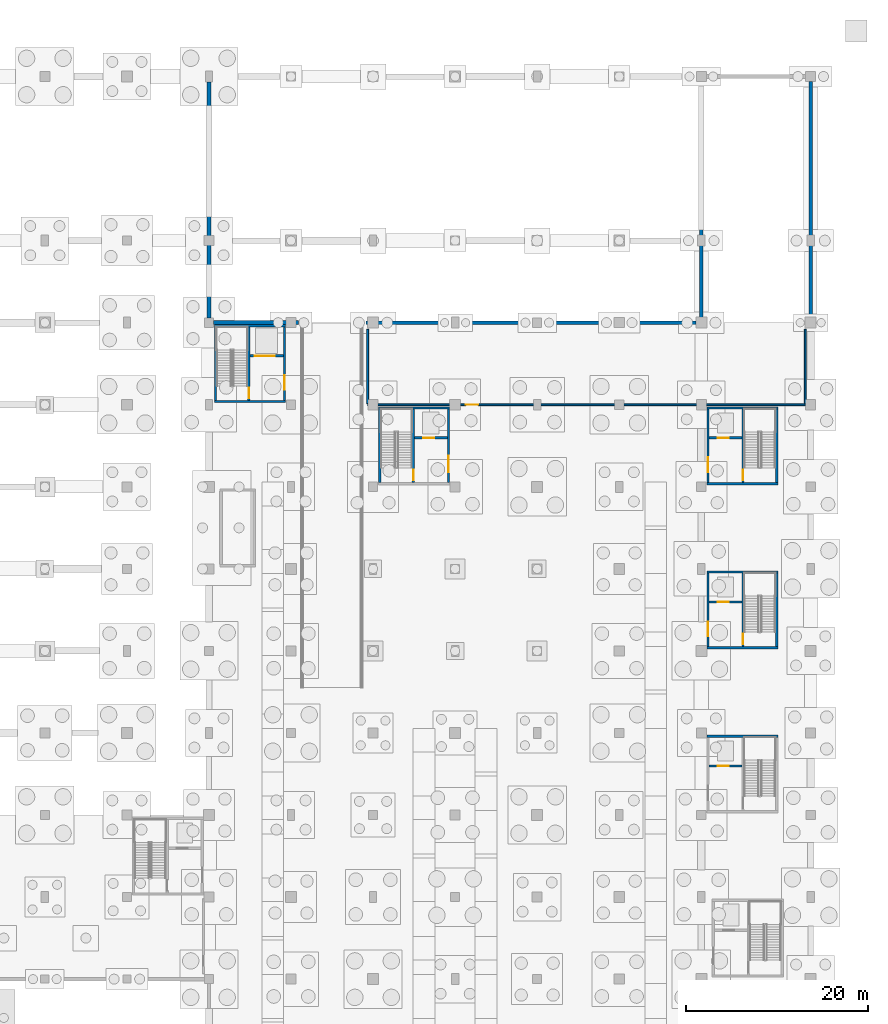
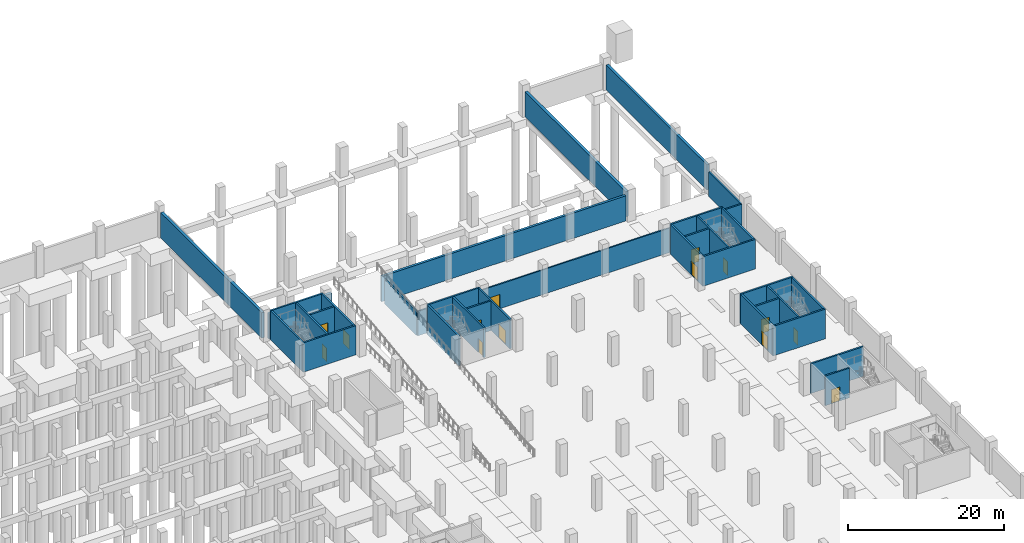
# One storey, part 21 of 37: 33 walls, 14 doors, 14 openings.
"""IFC4 building model written with IfcOpenShell, lengths in metres."""

from ifc_helpers import new_model, si_unit, direction, frame, frame_2d, origin, place, context, subcontext, project, spatial, rectangle, extrude, material, layer, layer_set, type_object, element, fill, save


model = new_model("IFC4")

# Units and contexts
model_context = context("Model", 3, precision=1e-05, world=origin(), true_north=direction((0.0, 1.0)))
body_context = subcontext(model_context, "Body", "Model", "MODEL_VIEW")
ifc_project = project(units=[si_unit("LENGTHUNIT", "METRE"), si_unit("AREAUNIT", "SQUARE_METRE"), si_unit("VOLUMEUNIT", "CUBIC_METRE"), si_unit("PLANEANGLEUNIT", "RADIAN"), si_unit("MASSUNIT", "GRAM", prefix="KILO")], contexts=[model_context])

# Site, building, storey
site_placement = place(None, origin())
site = spatial("IfcSite", under=ifc_project, at=site_placement, CompositionType="ELEMENT")
building_placement = place(site_placement, origin())
building = spatial("IfcBuilding", under=site, at=building_placement, Name="Barlavento Convention Centre", CompositionType="ELEMENT")
storey_placement = place(building_placement, frame((0.0, 0.0, -5.0)))
storey = spatial("IfcBuildingStorey", under=building, at=storey_placement, Name="B1", CompositionType="ELEMENT", Elevation=-5.0)

# Wall, opening, door
ifc_material_1 = material(Name="Concrete C40/50", Category="concrete")
ifc_layer_1 = layer(ifc_material_1, 0.199951171875)
ifc_layer_set_1 = layer_set([ifc_layer_1], Name="ARC-WL-FIRE-200")
wall_type_1 = type_object("IfcWallType", Name="ARC-WL-FIRE-200", PredefinedType="SOLIDWALL", material=ifc_layer_set_1)
wall_1_placement = place(storey_placement, frame((143.39990234375, 99.0, 0.0), z_axis=(0.0, 0.0, 1.0), x_axis=(1.0, 0.0, 0.0)))
wall_1 = element("IfcWall", 1, at=wall_1_placement, inside=storey, type_object=wall_type_1, Name="B1 interior wall FW-01", PredefinedType="SOLIDWALL", context=body_context, shape_type="SweptSolid", body=[
    extrude(rectangle(XDim=48.0, YDim=0.199951171875, at=frame_2d((24.0, 0.0))), origin(), (0.0, 0.0, 1.0), 3.85009765625),
])
opening_1_placement = place(wall_1_placement, frame((10.75, 0.0, 0.0)))
opening_1 = element("IfcOpeningElement", 2, at=opening_1_placement, cuts=wall_1, Name="Opening ID-12", PredefinedType="OPENING", context=body_context, shape_type="SweptSolid", body=[
    extrude(rectangle(XDim=1.39990234375, YDim=2.25, at=frame_2d((0.699951171875, 1.125))), frame((0.0, 0.10986328125, 0.0), z_axis=(0.0, -1.0, 0.0), x_axis=(1.0, 0.0, 0.0)), (0.0, 0.0, 1.0), 0.219970703125),
])
ifc_material_2 = material(Name="Painted galvanized steel", Category="steel")
door_type_1 = type_object("IfcDoorType", Name="ARC-DR-PLANT-1400X2250", OperationType="DOUBLE_DOOR_SINGLE_SWING", PredefinedType="DOOR", material=ifc_material_2)
door_1_placement = place(opening_1_placement, origin())
door_1 = element("IfcDoor", 3, at=door_1_placement, inside=storey, type_object=door_type_1, Name="DR-INT-B1-0210 B1 interior door ID-12", OperationType="DOUBLE_DOOR_SINGLE_SWING", OverallHeight=2.25, OverallWidth=1.39990234375, PredefinedType="DOOR", context=body_context, shape_type="SweptSolid", body=[
    extrude(rectangle(XDim=1.39990234375, YDim=2.25, at=frame_2d((0.699951171875, 1.125))), frame((0.0, 0.02490234375, 0.0), z_axis=(0.0, -1.0, 0.0), x_axis=(1.0, 0.0, 0.0)), (0.0, 0.0, 1.0), 0.050048828125),
])
fill(opening_1, door_1)

# Walls
for number, where, z_axis, x_axis, name in (
    (4, (143.39990234375, 99.1201171875, 0.0), (0.0, 0.0, 1.0), (0.0, 1.0, 0.0), "B1 interior wall FW-01"),
    (5, (191.39990234375, 99.1201171875, 0.0), (0.0, 0.0, 1.0), (0.0, 1.0, 0.0), "B1 interior wall FW-01"),
):
    element("IfcWall", number, at=place(storey_placement, frame(where, z_axis=z_axis, x_axis=x_axis)), inside=storey, type_object=wall_type_1, Name=name, PredefinedType="SOLIDWALL", context=body_context, shape_type="SweptSolid", body=[
        extrude(rectangle(XDim=8.159912109375, YDim=0.199951171875, at=frame_2d((4.080078125, 0.0))), origin(), (0.0, 0.0, 1.0), 3.85009765625),
    ])
ifc_material_3 = material(Name="Concrete C50/60", Category="concrete")
ifc_layer_2 = layer(ifc_material_3, 0.25)
ifc_layer_set_2 = layer_set([ifc_layer_2], Name="STR-WL-CORE-250")
wall_type_2 = type_object("IfcWallType", Name="STR-WL-CORE-250", PredefinedType="SHEAR", material=ifc_layer_set_2)
wall_2_placement = place(storey_placement, frame((180.60009765625, 62.655029296875, 0.0), z_axis=(0.0, 0.0, 1.0), x_axis=(1.0, 0.0, 0.0)))
element("IfcWall", 6, at=wall_2_placement, inside=storey, type_object=wall_type_2, Name="B1 interior wall CW-02", PredefinedType="SHEAR", context=body_context, shape_type="SweptSolid", body=[
    extrude(rectangle(XDim=7.7998046875, YDim=0.25, at=frame_2d((3.89990234375, 0.0))), origin(), (0.0, 0.0, 1.0), 4.639892578125),
])

# Wall, opening, door
wall_3_placement = place(storey_placement, frame((180.85009765625, 59.3701171875, 0.0), z_axis=(0.0, 0.0, 1.0), x_axis=(1.0, 0.0, 0.0)))
wall_3 = element("IfcWall", 7, at=wall_3_placement, inside=storey, type_object=wall_type_2, Name="B1 interior wall CW-02", PredefinedType="SHEAR", context=body_context, shape_type="SweptSolid", body=[
    extrude(rectangle(XDim=3.60986328125, YDim=0.25, at=frame_2d((1.804931640625, 0.0))), origin(), (0.0, 0.0, 1.0), 4.639892578125),
])
opening_2_placement = place(wall_3_placement, frame((0.949951171875, 0.0, 0.0)))
opening_2 = element("IfcOpeningElement", 8, at=opening_2_placement, cuts=wall_3, Name="Opening LD-01", PredefinedType="OPENING", context=body_context, shape_type="SweptSolid", body=[
    extrude(rectangle(XDim=1.199951171875, YDim=2.199951171875, at=frame_2d((0.60009765625, 1.10009765625))), frame((0.0, 0.135009765625, 0.0), z_axis=(0.0, -1.0, 0.0), x_axis=(1.0, 0.0, 0.0)), (0.0, 0.0, 1.0), 0.27001953125),
])
ifc_material_4 = material(Name="Brushed stainless steel", Category="steel")
door_type_2 = type_object("IfcDoorType", Name="ARC-DR-LIFT-1200X2200", OperationType="DOUBLE_DOOR_SLIDING", PredefinedType="DOOR", material=ifc_material_4)
door_2_placement = place(opening_2_placement, origin())
door_2 = element("IfcDoor", 9, at=door_2_placement, inside=storey, type_object=door_type_2, Name="DR-INT-B1-0056 LP4 lift sliding landing door", OperationType="DOUBLE_DOOR_SLIDING", OverallHeight=2.199951171875, OverallWidth=1.199951171875, PredefinedType="DOOR", context=body_context, shape_type="SweptSolid", body=[
    extrude(rectangle(XDim=1.199951171875, YDim=2.199951171875, at=frame_2d((0.60009765625, 1.10009765625))), frame((0.0, 0.02490234375, 0.0), z_axis=(0.0, -1.0, 0.0), x_axis=(1.0, 0.0, 0.0)), (0.0, 0.0, 1.0), 0.050048828125),
])
fill(opening_2, door_2)

wall_4_placement = place(storey_placement, frame((180.72509765625, 72.469970703125, 0.0), z_axis=(0.0, 0.0, 1.0), x_axis=(0.0, 1.0, 0.0)))
wall_4 = element("IfcWall", 10, at=wall_4_placement, inside=storey, type_object=wall_type_2, Name="B1 interior wall CW-02", PredefinedType="SHEAR", context=body_context, shape_type="SweptSolid", body=[
    extrude(rectangle(XDim=8.06005859375, YDim=0.25, at=frame_2d((4.030029296875, 0.0))), origin(), (0.0, 0.0, 1.0), 4.639892578125),
])
opening_3_placement = place(wall_4_placement, frame((1.14990234375, 0.0, 0.0)))
opening_3 = element("IfcOpeningElement", 11, at=opening_3_placement, cuts=wall_4, Name="Opening FD-02", PredefinedType="OPENING", context=body_context, shape_type="SweptSolid", body=[
    extrude(rectangle(XDim=1.60009765625, YDim=2.199951171875, at=frame_2d((0.800048828125, 1.10009765625))), frame((0.0, 0.135009765625, 0.0), z_axis=(0.0, -1.0, 0.0), x_axis=(1.0, 0.0, 0.0)), (0.0, 0.0, 1.0), 0.27001953125),
])
door_type_3 = type_object("IfcDoorType", Name="ARC-DR-FIRE-1600X2200", OperationType="DOUBLE_DOOR_SINGLE_SWING", PredefinedType="DOOR", material=ifc_material_2)
door_3_placement = place(opening_3_placement, origin())
door_3 = element("IfcDoor", 12, at=door_3_placement, inside=storey, type_object=door_type_3, Name="DR-INT-B1-0099 B1 LP5 lobby fire door", OperationType="DOUBLE_DOOR_SINGLE_SWING", OverallHeight=2.199951171875, OverallWidth=1.60009765625, PredefinedType="DOOR", context=body_context, shape_type="SweptSolid", body=[
    extrude(rectangle(XDim=1.60009765625, YDim=2.199951171875, at=frame_2d((0.800048828125, 1.10009765625))), frame((0.0, 0.02490234375, 0.0), z_axis=(0.0, -1.0, 0.0), x_axis=(1.0, 0.0, 0.0)), (0.0, 0.0, 1.0), 0.050048828125),
])
fill(opening_3, door_3)

# Walls
wall_5_placement = place(storey_placement, frame((188.27490234375, 72.469970703125, 0.0), z_axis=(0.0, 0.0, 1.0), x_axis=(0.0, 1.0, 0.0)))
element("IfcWall", 13, at=wall_5_placement, inside=storey, type_object=wall_type_2, Name="B1 interior wall CW-02", PredefinedType="SHEAR", context=body_context, shape_type="SweptSolid", body=[
    extrude(rectangle(XDim=8.06005859375, YDim=0.25, at=frame_2d((4.030029296875, 0.0))), origin(), (0.0, 0.0, 1.0), 4.639892578125),
])
for number, where, z_axis, x_axis, name in (
    (14, (180.60009765625, 72.344970703125, 0.0), (0.0, 0.0, 1.0), (1.0, 0.0, 0.0), "B1 interior wall CW-02"),
    (15, (180.60009765625, 80.655029296875, 0.0), (0.0, 0.0, 1.0), (1.0, 0.0, 0.0), "B1 interior wall CW-02"),
):
    element("IfcWall", number, at=place(storey_placement, frame(where, z_axis=z_axis, x_axis=x_axis)), inside=storey, type_object=wall_type_2, Name=name, PredefinedType="SHEAR", context=body_context, shape_type="SweptSolid", body=[
        extrude(rectangle(XDim=7.7998046875, YDim=0.25, at=frame_2d((3.89990234375, 0.0))), origin(), (0.0, 0.0, 1.0), 4.639892578125),
    ])

# Wall, opening, door
wall_6_placement = place(storey_placement, frame((184.5849609375, 72.469970703125, 0.0), z_axis=(0.0, 0.0, 1.0), x_axis=(0.0, 1.0, 0.0)))
wall_6 = element("IfcWall", 16, at=wall_6_placement, inside=storey, type_object=wall_type_2, Name="B1 interior wall CW-02", PredefinedType="SHEAR", context=body_context, shape_type="SweptSolid", body=[
    extrude(rectangle(XDim=8.06005859375, YDim=0.25, at=frame_2d((4.030029296875, 0.0))), origin(), (0.0, 0.0, 1.0), 4.639892578125),
])
opening_4_placement = place(wall_6_placement, frame((0.25, 0.0, 0.0)))
opening_4 = element("IfcOpeningElement", 17, at=opening_4_placement, cuts=wall_6, Name="Opening FD-03", PredefinedType="OPENING", context=body_context, shape_type="SweptSolid", body=[
    extrude(rectangle(XDim=1.14990234375, YDim=2.14990234375, at=frame_2d((0.574951171875, 1.074951171875))), frame((0.0, 0.135009765625, 0.0), z_axis=(0.0, -1.0, 0.0), x_axis=(1.0, 0.0, 0.0)), (0.0, 0.0, 1.0), 0.27001953125),
])
door_type_4 = type_object("IfcDoorType", Name="ARC-DR-FIRE-1150X2150", OperationType="NOTDEFINED", PredefinedType="DOOR", material=ifc_material_2)
door_4_placement = place(opening_4_placement, origin())
door_4 = element("IfcDoor", 18, at=door_4_placement, inside=storey, type_object=door_type_4, Name="DR-INT-B1-0097 B1 ST07 stair fire door FD-03", OperationType="SINGLE_SWING_LEFT", OverallHeight=2.14990234375, OverallWidth=1.14990234375, PredefinedType="DOOR", context=body_context, shape_type="SweptSolid", body=[
    extrude(rectangle(XDim=1.14990234375, YDim=2.14990234375, at=frame_2d((0.574951171875, 1.074951171875))), frame((0.0, 0.02490234375, 0.0), z_axis=(0.0, -1.0, 0.0), x_axis=(1.0, 0.0, 0.0)), (0.0, 0.0, 1.0), 0.050048828125),
])
fill(opening_4, door_4)

wall_7_placement = place(storey_placement, frame((180.85009765625, 77.3701171875, 0.0), z_axis=(0.0, 0.0, 1.0), x_axis=(1.0, 0.0, 0.0)))
wall_7 = element("IfcWall", 19, at=wall_7_placement, inside=storey, type_object=wall_type_2, Name="B1 interior wall CW-02", PredefinedType="SHEAR", context=body_context, shape_type="SweptSolid", body=[
    extrude(rectangle(XDim=3.60986328125, YDim=0.25, at=frame_2d((1.804931640625, 0.0))), origin(), (0.0, 0.0, 1.0), 4.639892578125),
])
opening_5_placement = place(wall_7_placement, frame((0.949951171875, 0.0, 0.0)))
opening_5 = element("IfcOpeningElement", 20, at=opening_5_placement, cuts=wall_7, Name="Opening LD-01", PredefinedType="OPENING", context=body_context, shape_type="SweptSolid", body=[
    extrude(rectangle(XDim=1.199951171875, YDim=2.199951171875, at=frame_2d((0.60009765625, 1.10009765625))), frame((0.0, 0.135009765625, 0.0), z_axis=(0.0, -1.0, 0.0), x_axis=(1.0, 0.0, 0.0)), (0.0, 0.0, 1.0), 0.27001953125),
])
door_5_placement = place(opening_5_placement, origin())
door_5 = element("IfcDoor", 21, at=door_5_placement, inside=storey, type_object=door_type_2, Name="DR-INT-B1-0098 LP5 lift sliding landing door", OperationType="DOUBLE_DOOR_SLIDING", OverallHeight=2.199951171875, OverallWidth=1.199951171875, PredefinedType="DOOR", context=body_context, shape_type="SweptSolid", body=[
    extrude(rectangle(XDim=1.199951171875, YDim=2.199951171875, at=frame_2d((0.60009765625, 1.10009765625))), frame((0.0, 0.02490234375, 0.0), z_axis=(0.0, -1.0, 0.0), x_axis=(1.0, 0.0, 0.0)), (0.0, 0.0, 1.0), 0.050048828125),
])
fill(opening_5, door_5)

wall_8_placement = place(storey_placement, frame((180.72509765625, 90.469970703125, 0.0), z_axis=(0.0, 0.0, 1.0), x_axis=(0.0, 1.0, 0.0)))
wall_8 = element("IfcWall", 22, at=wall_8_placement, inside=storey, type_object=wall_type_2, Name="B1 interior wall CW-02", PredefinedType="SHEAR", context=body_context, shape_type="SweptSolid", body=[
    extrude(rectangle(XDim=8.06005859375, YDim=0.25, at=frame_2d((4.030029296875, 0.0))), origin(), (0.0, 0.0, 1.0), 4.639892578125),
])
opening_6_placement = place(wall_8_placement, frame((1.14990234375, 0.0, 0.0)))
opening_6 = element("IfcOpeningElement", 23, at=opening_6_placement, cuts=wall_8, Name="Opening FD-02", PredefinedType="OPENING", context=body_context, shape_type="SweptSolid", body=[
    extrude(rectangle(XDim=1.60009765625, YDim=2.199951171875, at=frame_2d((0.800048828125, 1.10009765625))), frame((0.0, 0.135009765625, 0.0), z_axis=(0.0, -1.0, 0.0), x_axis=(1.0, 0.0, 0.0)), (0.0, 0.0, 1.0), 0.27001953125),
])
door_6_placement = place(opening_6_placement, origin())
door_6 = element("IfcDoor", 24, at=door_6_placement, inside=storey, type_object=door_type_3, Name="DR-INT-B1-0120 B1 LP6 lobby fire door", OperationType="DOUBLE_DOOR_SINGLE_SWING", OverallHeight=2.199951171875, OverallWidth=1.60009765625, PredefinedType="DOOR", context=body_context, shape_type="SweptSolid", body=[
    extrude(rectangle(XDim=1.60009765625, YDim=2.199951171875, at=frame_2d((0.800048828125, 1.10009765625))), frame((0.0, 0.02490234375, 0.0), z_axis=(0.0, -1.0, 0.0), x_axis=(1.0, 0.0, 0.0)), (0.0, 0.0, 1.0), 0.050048828125),
])
fill(opening_6, door_6)

# Walls
wall_9_placement = place(storey_placement, frame((188.27490234375, 90.469970703125, 0.0), z_axis=(0.0, 0.0, 1.0), x_axis=(0.0, 1.0, 0.0)))
element("IfcWall", 25, at=wall_9_placement, inside=storey, type_object=wall_type_2, Name="B1 interior wall CW-02", PredefinedType="SHEAR", context=body_context, shape_type="SweptSolid", body=[
    extrude(rectangle(XDim=8.06005859375, YDim=0.25, at=frame_2d((4.030029296875, 0.0))), origin(), (0.0, 0.0, 1.0), 4.639892578125),
])
for number, where, z_axis, x_axis, name in (
    (26, (180.60009765625, 90.344970703125, 0.0), (0.0, 0.0, 1.0), (1.0, 0.0, 0.0), "B1 interior wall CW-02"),
    (27, (180.60009765625, 98.655029296875, 0.0), (0.0, 0.0, 1.0), (1.0, 0.0, 0.0), "B1 interior wall CW-02"),
):
    element("IfcWall", number, at=place(storey_placement, frame(where, z_axis=z_axis, x_axis=x_axis)), inside=storey, type_object=wall_type_2, Name=name, PredefinedType="SHEAR", context=body_context, shape_type="SweptSolid", body=[
        extrude(rectangle(XDim=7.7998046875, YDim=0.25, at=frame_2d((3.89990234375, 0.0))), origin(), (0.0, 0.0, 1.0), 4.639892578125),
    ])

# Wall, opening, door
wall_10_placement = place(storey_placement, frame((184.5849609375, 90.469970703125, 0.0), z_axis=(0.0, 0.0, 1.0), x_axis=(0.0, 1.0, 0.0)))
wall_10 = element("IfcWall", 28, at=wall_10_placement, inside=storey, type_object=wall_type_2, Name="B1 interior wall CW-02", PredefinedType="SHEAR", context=body_context, shape_type="SweptSolid", body=[
    extrude(rectangle(XDim=8.06005859375, YDim=0.25, at=frame_2d((4.030029296875, 0.0))), origin(), (0.0, 0.0, 1.0), 4.639892578125),
])
opening_7_placement = place(wall_10_placement, frame((0.25, 0.0, 0.0)))
opening_7 = element("IfcOpeningElement", 29, at=opening_7_placement, cuts=wall_10, Name="Opening FD-03", PredefinedType="OPENING", context=body_context, shape_type="SweptSolid", body=[
    extrude(rectangle(XDim=1.14990234375, YDim=2.14990234375, at=frame_2d((0.574951171875, 1.074951171875))), frame((0.0, 0.135009765625, 0.0), z_axis=(0.0, -1.0, 0.0), x_axis=(1.0, 0.0, 0.0)), (0.0, 0.0, 1.0), 0.27001953125),
])
door_7_placement = place(opening_7_placement, origin())
door_7 = element("IfcDoor", 30, at=door_7_placement, inside=storey, type_object=door_type_4, Name="DR-INT-B1-0118 B1 ST08 stair fire door FD-03", OperationType="SINGLE_SWING_RIGHT", OverallHeight=2.14990234375, OverallWidth=1.14990234375, PredefinedType="DOOR", context=body_context, shape_type="SweptSolid", body=[
    extrude(rectangle(XDim=1.14990234375, YDim=2.14990234375, at=frame_2d((0.574951171875, 1.074951171875))), frame((0.0, 0.02490234375, 0.0), z_axis=(0.0, -1.0, 0.0), x_axis=(1.0, 0.0, 0.0)), (0.0, 0.0, 1.0), 0.050048828125),
])
fill(opening_7, door_7)

wall_11_placement = place(storey_placement, frame((180.85009765625, 95.3701171875, 0.0), z_axis=(0.0, 0.0, 1.0), x_axis=(1.0, 0.0, 0.0)))
wall_11 = element("IfcWall", 31, at=wall_11_placement, inside=storey, type_object=wall_type_2, Name="B1 interior wall CW-02", PredefinedType="SHEAR", context=body_context, shape_type="SweptSolid", body=[
    extrude(rectangle(XDim=3.60986328125, YDim=0.25, at=frame_2d((1.804931640625, 0.0))), origin(), (0.0, 0.0, 1.0), 4.639892578125),
])
opening_8_placement = place(wall_11_placement, frame((0.949951171875, 0.0, 0.0)))
opening_8 = element("IfcOpeningElement", 32, at=opening_8_placement, cuts=wall_11, Name="Opening LD-01", PredefinedType="OPENING", context=body_context, shape_type="SweptSolid", body=[
    extrude(rectangle(XDim=1.199951171875, YDim=2.199951171875, at=frame_2d((0.60009765625, 1.10009765625))), frame((0.0, 0.135009765625, 0.0), z_axis=(0.0, -1.0, 0.0), x_axis=(1.0, 0.0, 0.0)), (0.0, 0.0, 1.0), 0.27001953125),
])
door_8_placement = place(opening_8_placement, origin())
door_8 = element("IfcDoor", 33, at=door_8_placement, inside=storey, type_object=door_type_2, Name="DR-INT-B1-0119 LP6 lift sliding landing door", OperationType="DOUBLE_DOOR_SLIDING", OverallHeight=2.199951171875, OverallWidth=1.199951171875, PredefinedType="DOOR", context=body_context, shape_type="SweptSolid", body=[
    extrude(rectangle(XDim=1.199951171875, YDim=2.199951171875, at=frame_2d((0.60009765625, 1.10009765625))), frame((0.0, 0.02490234375, 0.0), z_axis=(0.0, -1.0, 0.0), x_axis=(1.0, 0.0, 0.0)), (0.0, 0.0, 1.0), 0.050048828125),
])
fill(opening_8, door_8)

# Wall
wall_12_placement = place(storey_placement, frame((144.72509765625, 90.469970703125, 0.0), z_axis=(0.0, 0.0, 1.0), x_axis=(0.0, 1.0, 0.0)))
element("IfcWall", 34, at=wall_12_placement, inside=storey, type_object=wall_type_2, Name="B1 interior wall CW-02", PredefinedType="SHEAR", context=body_context, shape_type="SweptSolid", body=[
    extrude(rectangle(XDim=8.06005859375, YDim=0.25, at=frame_2d((4.030029296875, 0.0))), origin(), (0.0, 0.0, 1.0), 4.639892578125),
])

# Wall, opening, door
wall_13_placement = place(storey_placement, frame((152.27490234375, 90.469970703125, 0.0), z_axis=(0.0, 0.0, 1.0), x_axis=(0.0, 1.0, 0.0)))
wall_13 = element("IfcWall", 35, at=wall_13_placement, inside=storey, type_object=wall_type_2, Name="B1 interior wall CW-02", PredefinedType="SHEAR", context=body_context, shape_type="SweptSolid", body=[
    extrude(rectangle(XDim=8.06005859375, YDim=0.25, at=frame_2d((4.030029296875, 0.0))), origin(), (0.0, 0.0, 1.0), 4.639892578125),
])
opening_9_placement = place(wall_13_placement, frame((1.14990234375, 0.0, 0.0)))
opening_9 = element("IfcOpeningElement", 36, at=opening_9_placement, cuts=wall_13, Name="Opening FD-01", PredefinedType="OPENING", context=body_context, shape_type="SweptSolid", body=[
    extrude(rectangle(XDim=1.800048828125, YDim=2.199951171875, at=frame_2d((0.89990234375, 1.10009765625))), frame((0.0, 0.135009765625, 0.0), z_axis=(0.0, -1.0, 0.0), x_axis=(1.0, 0.0, 0.0)), (0.0, 0.0, 1.0), 0.27001953125),
])
door_type_5 = type_object("IfcDoorType", Name="ARC-DR-FIRE-1800X2200", OperationType="DOUBLE_DOOR_SINGLE_SWING", PredefinedType="DOOR", material=ifc_material_2)
door_9_placement = place(opening_9_placement, origin())
door_9 = element("IfcDoor", 37, at=door_9_placement, inside=storey, type_object=door_type_5, Name="DR-INT-B1-0141 B1 FL1 lobby fire door", OperationType="DOUBLE_DOOR_SINGLE_SWING", OverallHeight=2.199951171875, OverallWidth=1.800048828125, PredefinedType="DOOR", context=body_context, shape_type="SweptSolid", body=[
    extrude(rectangle(XDim=1.800048828125, YDim=2.199951171875, at=frame_2d((0.89990234375, 1.10009765625))), frame((0.0, 0.02490234375, 0.0), z_axis=(0.0, -1.0, 0.0), x_axis=(1.0, 0.0, 0.0)), (0.0, 0.0, 1.0), 0.050048828125),
])
fill(opening_9, door_9)

# Wall
wall_14_placement = place(storey_placement, frame((144.60009765625, 98.655029296875, 0.0), z_axis=(0.0, 0.0, 1.0), x_axis=(1.0, 0.0, 0.0)))
element("IfcWall", 38, at=wall_14_placement, inside=storey, type_object=wall_type_2, Name="B1 interior wall CW-02", PredefinedType="SHEAR", context=body_context, shape_type="SweptSolid", body=[
    extrude(rectangle(XDim=7.7998046875, YDim=0.25, at=frame_2d((3.89990234375, 0.0))), origin(), (0.0, 0.0, 1.0), 4.639892578125),
])

# Wall, opening, door
wall_15_placement = place(storey_placement, frame((148.4150390625, 90.469970703125, 0.0), z_axis=(0.0, 0.0, 1.0), x_axis=(0.0, 1.0, 0.0)))
wall_15 = element("IfcWall", 39, at=wall_15_placement, inside=storey, type_object=wall_type_2, Name="B1 interior wall CW-02", PredefinedType="SHEAR", context=body_context, shape_type="SweptSolid", body=[
    extrude(rectangle(XDim=8.06005859375, YDim=0.25, at=frame_2d((4.030029296875, 0.0))), origin(), (0.0, 0.0, 1.0), 4.639892578125),
])
opening_10_placement = place(wall_15_placement, frame((0.25, 0.0, 0.0)))
opening_10 = element("IfcOpeningElement", 40, at=opening_10_placement, cuts=wall_15, Name="Opening FD-03", PredefinedType="OPENING", context=body_context, shape_type="SweptSolid", body=[
    extrude(rectangle(XDim=1.14990234375, YDim=2.14990234375, at=frame_2d((0.574951171875, 1.074951171875))), frame((0.0, 0.135009765625, 0.0), z_axis=(0.0, -1.0, 0.0), x_axis=(1.0, 0.0, 0.0)), (0.0, 0.0, 1.0), 0.27001953125),
])
door_10_placement = place(opening_10_placement, origin())
door_10 = element("IfcDoor", 41, at=door_10_placement, inside=storey, type_object=door_type_4, Name="DR-INT-B1-0139 B1 ST09 stair fire door FD-03", OperationType="SINGLE_SWING_LEFT", OverallHeight=2.14990234375, OverallWidth=1.14990234375, PredefinedType="DOOR", context=body_context, shape_type="SweptSolid", body=[
    extrude(rectangle(XDim=1.14990234375, YDim=2.14990234375, at=frame_2d((0.574951171875, 1.074951171875))), frame((0.0, 0.02490234375, 0.0), z_axis=(0.0, -1.0, 0.0), x_axis=(1.0, 0.0, 0.0)), (0.0, 0.0, 1.0), 0.050048828125),
])
fill(opening_10, door_10)

wall_16_placement = place(storey_placement, frame((148.5400390625, 95.3701171875, 0.0), z_axis=(0.0, 0.0, 1.0), x_axis=(1.0, 0.0, 0.0)))
wall_16 = element("IfcWall", 42, at=wall_16_placement, inside=storey, type_object=wall_type_2, Name="B1 interior wall CW-02", PredefinedType="SHEAR", context=body_context, shape_type="SweptSolid", body=[
    extrude(rectangle(XDim=3.60986328125, YDim=0.25, at=frame_2d((1.804931640625, 0.0))), origin(), (0.0, 0.0, 1.0), 4.639892578125),
])
opening_11_placement = place(wall_16_placement, frame((0.949951171875, 0.0, 0.0)))
opening_11 = element("IfcOpeningElement", 43, at=opening_11_placement, cuts=wall_16, Name="Opening LD-01", PredefinedType="OPENING", context=body_context, shape_type="SweptSolid", body=[
    extrude(rectangle(XDim=1.199951171875, YDim=2.199951171875, at=frame_2d((0.60009765625, 1.10009765625))), frame((0.0, 0.135009765625, 0.0), z_axis=(0.0, -1.0, 0.0), x_axis=(1.0, 0.0, 0.0)), (0.0, 0.0, 1.0), 0.27001953125),
])
door_11_placement = place(opening_11_placement, origin())
door_11 = element("IfcDoor", 44, at=door_11_placement, inside=storey, type_object=door_type_2, Name="DR-INT-B1-0140 FL1 lift sliding landing door", OperationType="DOUBLE_DOOR_SLIDING", OverallHeight=2.199951171875, OverallWidth=1.199951171875, PredefinedType="DOOR", context=body_context, shape_type="SweptSolid", body=[
    extrude(rectangle(XDim=1.199951171875, YDim=2.199951171875, at=frame_2d((0.60009765625, 1.10009765625))), frame((0.0, 0.02490234375, 0.0), z_axis=(0.0, -1.0, 0.0), x_axis=(1.0, 0.0, 0.0)), (0.0, 0.0, 1.0), 0.050048828125),
])
fill(opening_11, door_11)

# Wall
wall_17_placement = place(storey_placement, frame((126.72509765625, 99.469970703125, 0.0), z_axis=(0.0, 0.0, 1.0), x_axis=(0.0, 1.0, 0.0)))
element("IfcWall", 45, at=wall_17_placement, inside=storey, type_object=wall_type_2, Name="B1 interior wall CW-02", PredefinedType="SHEAR", context=body_context, shape_type="SweptSolid", body=[
    extrude(rectangle(XDim=8.06005859375, YDim=0.25, at=frame_2d((4.030029296875, 0.0))), origin(), (0.0, 0.0, 1.0), 4.580078125),
])

# Wall, opening, door
wall_18_placement = place(storey_placement, frame((134.27490234375, 99.469970703125, 0.0), z_axis=(0.0, 0.0, 1.0), x_axis=(0.0, 1.0, 0.0)))
wall_18 = element("IfcWall", 46, at=wall_18_placement, inside=storey, type_object=wall_type_2, Name="B1 interior wall CW-02", PredefinedType="SHEAR", context=body_context, shape_type="SweptSolid", body=[
    extrude(rectangle(XDim=8.06005859375, YDim=0.25, at=frame_2d((4.030029296875, 0.0))), origin(), (0.0, 0.0, 1.0), 4.580078125),
])
opening_12_placement = place(wall_18_placement, frame((1.14990234375, 0.0, 0.0)))
opening_12 = element("IfcOpeningElement", 47, at=opening_12_placement, cuts=wall_18, Name="Opening FD-02", PredefinedType="OPENING", context=body_context, shape_type="SweptSolid", body=[
    extrude(rectangle(XDim=1.60009765625, YDim=2.199951171875, at=frame_2d((0.800048828125, 1.10009765625))), frame((0.0, 0.135009765625, 0.0), z_axis=(0.0, -1.0, 0.0), x_axis=(1.0, 0.0, 0.0)), (0.0, 0.0, 1.0), 0.27001953125),
])
door_12_placement = place(opening_12_placement, origin())
door_12 = element("IfcDoor", 48, at=door_12_placement, inside=storey, type_object=door_type_3, Name="DR-INT-B1-0162 B1 LF2 lobby fire door", OperationType="DOUBLE_DOOR_SINGLE_SWING", OverallHeight=2.199951171875, OverallWidth=1.60009765625, PredefinedType="DOOR", context=body_context, shape_type="SweptSolid", body=[
    extrude(rectangle(XDim=1.60009765625, YDim=2.199951171875, at=frame_2d((0.800048828125, 1.10009765625))), frame((0.0, 0.02490234375, 0.0), z_axis=(0.0, -1.0, 0.0), x_axis=(1.0, 0.0, 0.0)), (0.0, 0.0, 1.0), 0.050048828125),
])
fill(opening_12, door_12)

# Walls
for number, where, z_axis, x_axis, name in (
    (49, (126.60009765625, 99.344970703125, 0.0), (0.0, 0.0, 1.0), (1.0, 0.0, 0.0), "B1 interior wall CW-02"),
    (50, (126.60009765625, 107.655029296875, 0.0), (0.0, 0.0, 1.0), (1.0, 0.0, 0.0), "B1 interior wall CW-02"),
):
    element("IfcWall", number, at=place(storey_placement, frame(where, z_axis=z_axis, x_axis=x_axis)), inside=storey, type_object=wall_type_2, Name=name, PredefinedType="SHEAR", context=body_context, shape_type="SweptSolid", body=[
        extrude(rectangle(XDim=7.7998046875, YDim=0.25, at=frame_2d((3.89990234375, 0.0))), origin(), (0.0, 0.0, 1.0), 4.580078125),
    ])

# Wall, opening, door
wall_19_placement = place(storey_placement, frame((130.375, 99.469970703125, 0.0), z_axis=(0.0, 0.0, 1.0), x_axis=(0.0, 1.0, 0.0)))
wall_19 = element("IfcWall", 51, at=wall_19_placement, inside=storey, type_object=wall_type_2, Name="B1 interior wall CW-02", PredefinedType="SHEAR", context=body_context, shape_type="SweptSolid", body=[
    extrude(rectangle(XDim=8.06005859375, YDim=0.25, at=frame_2d((4.030029296875, 0.0))), origin(), (0.0, 0.0, 1.0), 4.580078125),
])
opening_13_placement = place(wall_19_placement, frame((0.25, 0.0, 0.0)))
opening_13 = element("IfcOpeningElement", 52, at=opening_13_placement, cuts=wall_19, Name="Opening FD-03", PredefinedType="OPENING", context=body_context, shape_type="SweptSolid", body=[
    extrude(rectangle(XDim=1.14990234375, YDim=2.14990234375, at=frame_2d((0.574951171875, 1.074951171875))), frame((0.0, 0.135009765625, 0.0), z_axis=(0.0, -1.0, 0.0), x_axis=(1.0, 0.0, 0.0)), (0.0, 0.0, 1.0), 0.27001953125),
])
door_13_placement = place(opening_13_placement, origin())
door_13 = element("IfcDoor", 53, at=door_13_placement, inside=storey, type_object=door_type_4, Name="DR-INT-B1-0160 B1 ST10 stair fire door FD-03", OperationType="SINGLE_SWING_RIGHT", OverallHeight=2.14990234375, OverallWidth=1.14990234375, PredefinedType="DOOR", context=body_context, shape_type="SweptSolid", body=[
    extrude(rectangle(XDim=1.14990234375, YDim=2.14990234375, at=frame_2d((0.574951171875, 1.074951171875))), frame((0.0, 0.02490234375, 0.0), z_axis=(0.0, -1.0, 0.0), x_axis=(1.0, 0.0, 0.0)), (0.0, 0.0, 1.0), 0.050048828125),
])
fill(opening_13, door_13)

wall_20_placement = place(storey_placement, frame((130.5, 104.3701171875, 0.0), z_axis=(0.0, 0.0, 1.0), x_axis=(1.0, 0.0, 0.0)))
wall_20 = element("IfcWall", 54, at=wall_20_placement, inside=storey, type_object=wall_type_2, Name="B1 interior wall CW-02", PredefinedType="SHEAR", context=body_context, shape_type="SweptSolid", body=[
    extrude(rectangle(XDim=3.64990234375, YDim=0.25, at=frame_2d((1.824951171875, 0.0))), origin(), (0.0, 0.0, 1.0), 4.580078125),
])
opening_14_placement = place(wall_20_placement, frame((0.5, 0.0, 0.0)))
opening_14 = element("IfcOpeningElement", 55, at=opening_14_placement, cuts=wall_20, Name="Opening LD-03", PredefinedType="OPENING", context=body_context, shape_type="SweptSolid", body=[
    extrude(rectangle(XDim=2.199951171875, YDim=2.39990234375, at=frame_2d((1.10009765625, 1.199951171875))), frame((0.0, 0.135009765625, 0.0), z_axis=(0.0, -1.0, 0.0), x_axis=(1.0, 0.0, 0.0)), (0.0, 0.0, 1.0), 0.27001953125),
])
door_type_6 = type_object("IfcDoorType", Name="ARC-DR-LIFT-2200X2400", OperationType="DOUBLE_DOOR_SLIDING", PredefinedType="DOOR", material=ifc_material_4)
door_14_placement = place(opening_14_placement, origin())
door_14 = element("IfcDoor", 56, at=door_14_placement, inside=storey, type_object=door_type_6, Name="DR-INT-B1-0161 LF2 lift sliding landing door", OperationType="DOUBLE_DOOR_SLIDING", OverallHeight=2.39990234375, OverallWidth=2.199951171875, PredefinedType="DOOR", context=body_context, shape_type="SweptSolid", body=[
    extrude(rectangle(XDim=2.199951171875, YDim=2.39990234375, at=frame_2d((1.10009765625, 1.199951171875))), frame((0.0, 0.02490234375, 0.0), z_axis=(0.0, -1.0, 0.0), x_axis=(1.0, 0.0, 0.0)), (0.0, 0.0, 1.0), 0.050048828125),
])
fill(opening_14, door_14)

# Walls
ifc_layer_3 = layer(ifc_material_1, 0.449951171875)
ifc_layer_set_3 = layer_set([ifc_layer_3], Name="STR-WL-RET-450")
wall_type_3 = type_object("IfcWallType", Name="STR-WL-RET-450", PredefinedType="SHEAR", material=ifc_layer_set_3)
wall_21_placement = place(storey_placement, frame((126.4951171875, 108.0, 0.0), z_axis=(0.0, 0.0, 1.0), x_axis=(1.0, 0.0, 0.0)))
element("IfcWall", 57, at=wall_21_placement, inside=storey, type_object=wall_type_3, Name="B1 exterior wall RW01", PredefinedType="SHEAR", context=body_context, shape_type="SweptSolid", body=[
    extrude(rectangle(XDim=9.304931640625, YDim=0.449951171875, at=frame_2d((4.65234375, 0.0))), origin(), (0.0, 0.0, 1.0), 3.949951171875),
])
ifc_layer_4 = layer(ifc_material_1, 0.35009765625)
ifc_layer_set_4 = layer_set([ifc_layer_4], Name="STR-WL-SHR-350")
wall_type_4 = type_object("IfcWallType", Name="STR-WL-SHR-350", PredefinedType="SHEAR", material=ifc_layer_set_4)
wall_22_placement = place(storey_placement, frame((192.0, 108.594970703125, 0.0), z_axis=(0.0, 0.0, 1.0), x_axis=(0.0, 1.0, 0.0)))
element("IfcWall", 58, at=wall_22_placement, inside=storey, type_object=wall_type_4, Name="B1 exterior wall SW02", PredefinedType="SHEAR", context=body_context, shape_type="SweptSolid", body=[
    extrude(rectangle(XDim=25.860107421875, YDim=0.35009765625, at=frame_2d((12.93017578125, 0.0))), origin(), (0.0, 0.0, 1.0), 3.949951171875),
])
wall_23_placement = place(storey_placement, frame((143.199951171875, 108.0, 0.0), z_axis=(0.0, 0.0, 1.0), x_axis=(1.0, 0.0, 0.0)))
element("IfcWall", 59, at=wall_23_placement, inside=storey, type_object=wall_type_4, Name="B1 exterior wall SW02", PredefinedType="SHEAR", context=body_context, shape_type="SweptSolid", body=[
    extrude(rectangle(XDim=36.205078125, YDim=0.35009765625, at=frame_2d((18.1025390625, 0.0))), origin(), (0.0, 0.0, 1.0), 3.949951171875),
])
ifc_layer_5 = layer(ifc_material_1, 0.39990234375)
ifc_layer_set_5 = layer_set([ifc_layer_5], Name="STR-WL-SHR-400")
wall_type_5 = type_object("IfcWallType", Name="STR-WL-SHR-400", PredefinedType="SHEAR", material=ifc_layer_set_5)
wall_24_placement = place(storey_placement, frame((180.0, 108.594970703125, 0.0), z_axis=(0.0, 0.0, 1.0), x_axis=(0.0, 1.0, 0.0)))
element("IfcWall", 60, at=wall_24_placement, inside=storey, type_object=wall_type_5, Name="B1 exterior wall SW01", PredefinedType="SHEAR", context=body_context, shape_type="SweptSolid", body=[
    extrude(rectangle(XDim=25.860107421875, YDim=0.39990234375, at=frame_2d((12.93017578125, 0.0))), origin(), (0.0, 0.0, 1.0), 3.949951171875),
])
wall_25_placement = place(storey_placement, frame((126.0, 108.4951171875, 0.0), z_axis=(0.0, 0.0, 1.0), x_axis=(0.0, 1.0, 0.0)))
element("IfcWall", 61, at=wall_25_placement, inside=storey, type_object=wall_type_5, Name="B1 exterior wall SW01", PredefinedType="SHEAR", context=body_context, shape_type="SweptSolid", body=[
    extrude(rectangle(XDim=25.909912109375, YDim=0.39990234375, at=frame_2d((12.955078125, 0.0))), origin(), (0.0, 0.0, 1.0), 3.949951171875),
])

save(model, "model.ifc")
